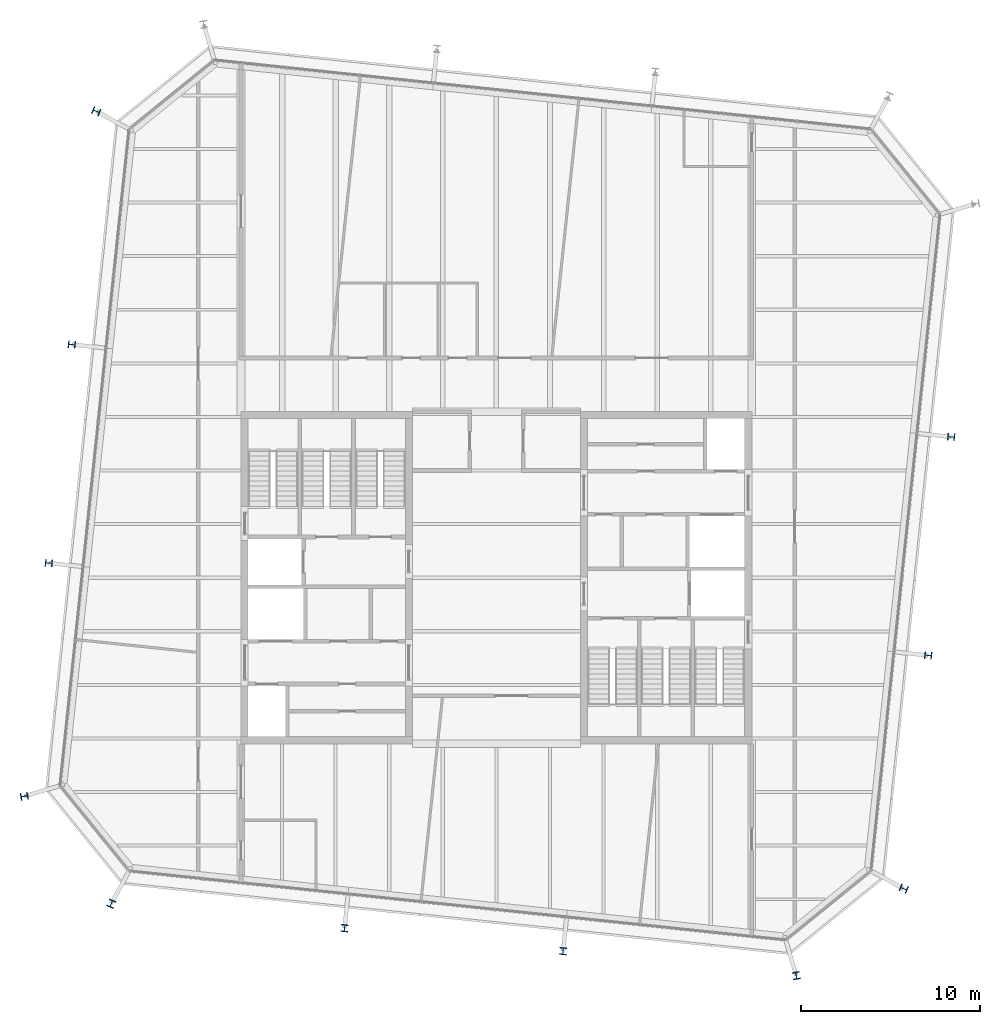
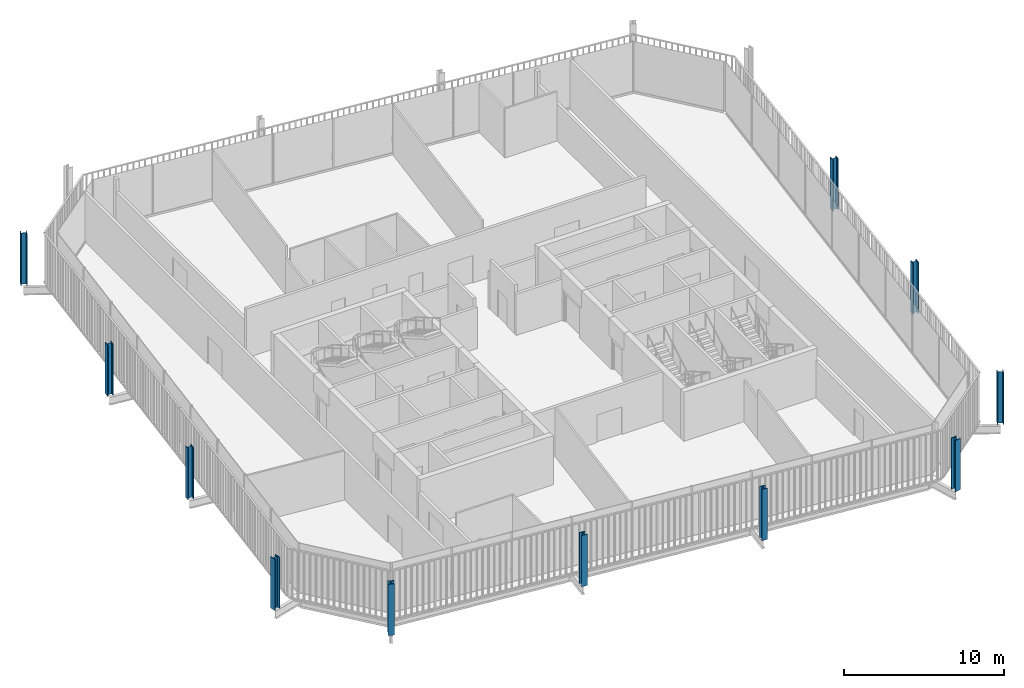
# One storey, part 1 of 20: 11 columns.
"""IFC4 building model written with IfcOpenShell, lengths in metres."""

from ifc_helpers import new_model, si_unit, direction, frame, origin, origin_2d, place, context, subcontext, project, spatial, i_section, extrude, material, material_profile, profile_set, type_object, element, save


model = new_model("IFC4")

# Units and contexts
model_context = context("Model", 3, precision=1e-05, world=origin(), true_north=direction((0.0, 1.0)))
body_context = subcontext(model_context, "Body", "Model", "MODEL_VIEW")
ifc_project = project(units=[si_unit("LENGTHUNIT", "METRE"), si_unit("AREAUNIT", "SQUARE_METRE"), si_unit("VOLUMEUNIT", "CUBIC_METRE"), si_unit("PLANEANGLEUNIT", "RADIAN"), si_unit("MASSUNIT", "GRAM", prefix="KILO")], contexts=[model_context])

# Site, building, storey
site_placement = place(None, origin())
site = spatial("IfcSite", under=ifc_project, at=site_placement, CompositionType="ELEMENT")
building_placement = place(site_placement, origin())
building = spatial("IfcBuilding", under=site, at=building_placement, Name="Millrace Tower", CompositionType="ELEMENT")
storey_placement = place(building_placement, frame((0.0, 0.0, 303.300048828125)))
storey = spatial("IfcBuildingStorey", under=building, at=storey_placement, Name="L70", CompositionType="ELEMENT", Elevation=303.300048828125)

# Columns
ifc_material_1 = material(Name="Steel ASTM A913 Grade 65", Category="steel")
ifc_material_profile_1 = material_profile(ifc_material_1, i_section(OverallWidth=0.4013671875, OverallDepth=0.398681640625, WebThickness=0.02490234375, FlangeThickness=0.03955078125, FilletRadius=0.01513671875, at=origin_2d()))
ifc_profile_set_1 = profile_set([ifc_material_profile_1], Name="Steel ASTM A913 Grade 65")
column_type_1 = type_object("IfcColumnType", Name="Exoskeleton column W14x211", PredefinedType="COLUMN", material=ifc_profile_set_1)
for number, where, z_axis, x_axis, name in (
    (1, (-8.50341796875, -19.62158203125, 0.0), (0.0, 0.0, 1.0), (0.994521897246, -0.104528445407, 0.0), "COL-E-L70-X03"),
    (2, (3.729248046875, -20.9072265625, 0.0), (0.0, 0.0, 1.0), (0.994521897246, -0.104528445407, 0.0), "COL-E-L70-X04"),
    (3, (24.171630859375, -4.353271484375, 0.0), (0.0, 0.0, 1.0), (0.104528445407, 0.994521897246, 0.0), "COL-E-L70-X07"),
    (4, (25.457275390625, 7.879150390625, 0.0), (0.0, 0.0, 1.0), (0.104528445407, 0.994521897246, 0.0), "COL-E-L70-X08"),
    (5, (-23.771484375, 13.053466796875, 0.0), (0.0, 0.0, 1.0), (-0.104528445407, -0.994521897246, 0.0), "COL-E-L70-X15"),
    (6, (-25.057373046875, 0.82080078125, 0.0), (0.0, 0.0, 1.0), (-0.104528445407, -0.994521897246, 0.0), "COL-E-L70-X16"),
):
    element("IfcColumn", number, at=place(storey_placement, frame(where, z_axis=z_axis, x_axis=x_axis)), inside=storey, type_object=column_type_1, Name=name, PredefinedType="COLUMN", context=body_context, shape_type="SweptSolid", body=[
        extrude(i_section(OverallWidth=0.4013671875, OverallDepth=0.398681640625, WebThickness=0.02490234375, FlangeThickness=0.03955078125, FilletRadius=0.01513671875, at=origin_2d()), origin(), (0.0, 0.0, 1.0), 3.89990234375),
    ])
ifc_material_2 = material(Name="Steel ASTM A913 Grade 65", Category="steel")
ifc_material_profile_2 = material_profile(ifc_material_2, i_section(OverallWidth=0.406494140625, OverallDepth=0.41650390625, WebThickness=0.030029296875, FlangeThickness=0.048095703125, FilletRadius=0.01513671875, at=origin_2d()))
ifc_profile_set_2 = profile_set([ifc_material_profile_2], Name="Steel ASTM A913 Grade 65")
column_type_2 = type_object("IfcColumnType", Name="Exoskeleton column W14x257", PredefinedType="COLUMN", material=ifc_profile_set_2)
for number, where, z_axis, x_axis, name in (
    (7, (-26.429443359375, -12.23583984375, 0.0), (0.0, 0.0, 1.0), (0.18038747256, -0.983595628164, 0.0), "COL-E-L70-X01"),
    (8, (-21.559814453125, -18.249267578125, 0.0), (0.0, 0.0, 1.0), (0.92459700658, -0.380946683176, 0.0), "COL-E-L70-X02"),
    (9, (16.78564453125, -22.279541015625, 0.0), (0.0, 0.0, 1.0), (0.983595628164, 0.18038747256, 0.0), "COL-E-L70-X05"),
    (10, (22.79931640625, -17.409912109375, 0.0), (0.0, 0.0, 1.0), (0.380946683176, 0.92459700658, 0.0), "COL-E-L70-X06"),
    (11, (-22.399169921875, 26.10986328125, 0.0), (0.0, 0.0, 1.0), (-0.380946683176, -0.92459700658, 0.0), "COL-E-L70-X14"),
):
    element("IfcColumn", number, at=place(storey_placement, frame(where, z_axis=z_axis, x_axis=x_axis)), inside=storey, type_object=column_type_2, Name=name, PredefinedType="COLUMN", context=body_context, shape_type="SweptSolid", body=[
        extrude(i_section(OverallWidth=0.406494140625, OverallDepth=0.41650390625, WebThickness=0.030029296875, FlangeThickness=0.048095703125, FilletRadius=0.01513671875, at=origin_2d()), origin(), (0.0, 0.0, 1.0), 3.89990234375),
    ])

save(model, "model.ifc")
